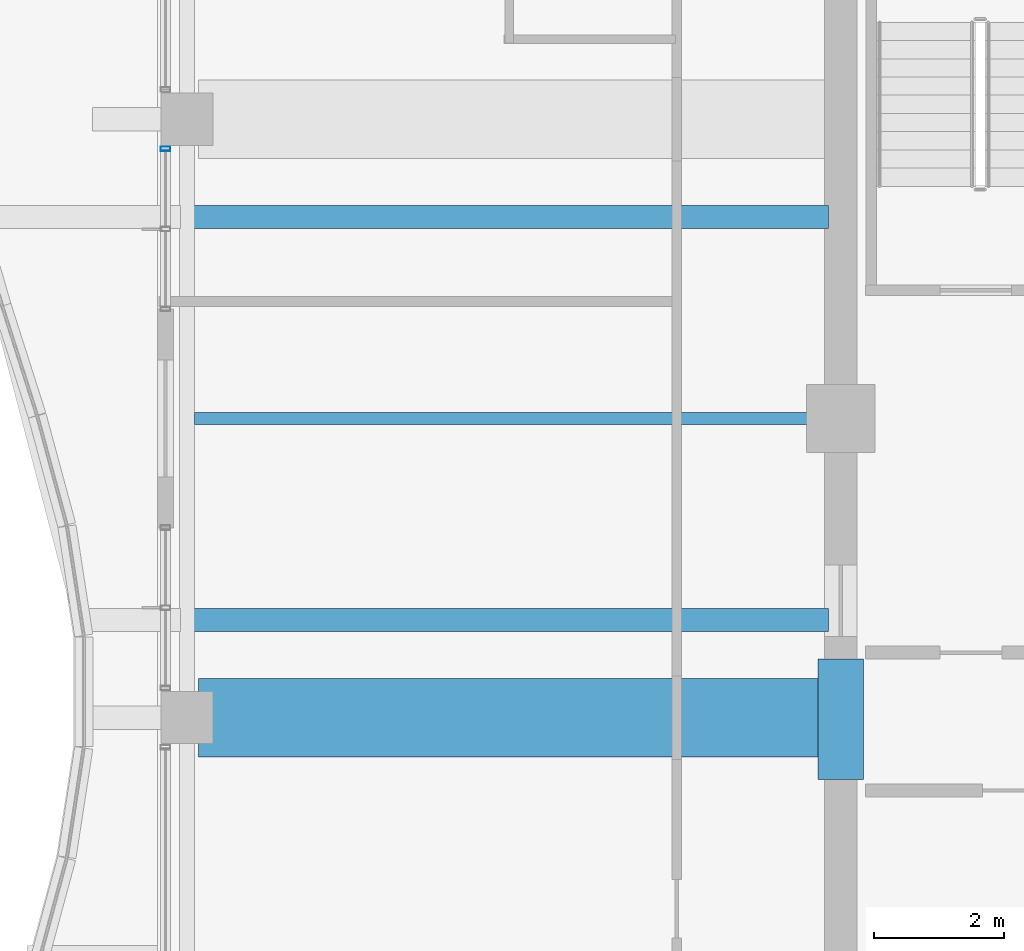
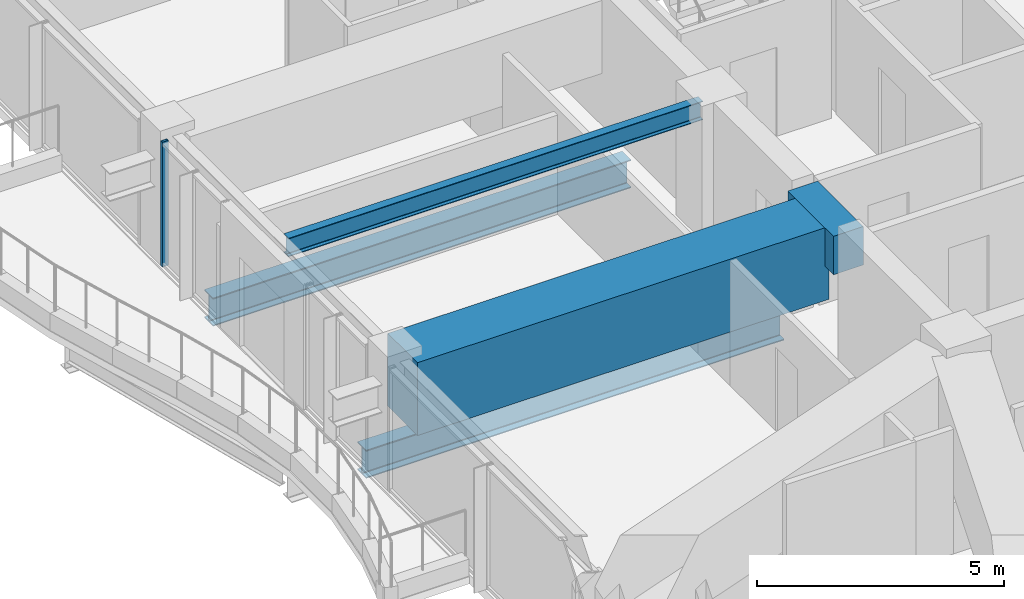
# One storey, part 8 of 35: 5 beams, 1 member, 1 element without a shape of its own.
"""IFC4 building model written with IfcOpenShell, lengths in metres."""

from ifc_helpers import new_model, si_unit, direction, frame, origin, origin_2d, place, context, subcontext, project, spatial, rectangle, hollow_rectangle, i_section, extrude, material, material_profile, profile_set, type_object, element, aggregate, save


model = new_model("IFC4")

# Units and contexts
model_context = context("Model", 3, precision=1e-05, world=origin(), true_north=direction((0.0, 1.0)))
body_context = subcontext(model_context, "Body", "Model", "MODEL_VIEW")
ifc_project = project(units=[si_unit("LENGTHUNIT", "METRE"), si_unit("AREAUNIT", "SQUARE_METRE"), si_unit("VOLUMEUNIT", "CUBIC_METRE"), si_unit("PLANEANGLEUNIT", "RADIAN"), si_unit("MASSUNIT", "GRAM", prefix="KILO")], contexts=[model_context])

# Site, building, storey
site_placement = place(None, origin())
site = spatial("IfcSite", under=ifc_project, at=site_placement, CompositionType="ELEMENT")
building_placement = place(site_placement, origin())
building = spatial("IfcBuilding", under=site, at=building_placement, Name="Kolvaren Belvedere", CompositionType="ELEMENT")
storey_placement = place(building_placement, frame((0.0, 0.0, 203.10009765625)))
storey = spatial("IfcBuildingStorey", under=building, at=storey_placement, Name="L59", CompositionType="ELEMENT", Elevation=203.10009765625)

# Beams
ifc_material_1 = material(Name="Structural steel ASTM A992 Grade 50", Category="steel")
ifc_material_profile_1 = material_profile(ifc_material_1, i_section(OverallWidth=0.35498046875, OverallDepth=0.696044921875, WebThickness=0.015380859375, FlangeThickness=0.02490234375, FilletRadius=0.02197265625, at=origin_2d()), Name="W27X146")
ifc_profile_set_1 = profile_set([ifc_material_profile_1], Name="Structural steel ASTM A992 Grade 50")
beam_type_1 = type_object("IfcBeamType", Name="BM-GIRD-W27X146", PredefinedType="BEAM", material=ifc_profile_set_1)
for number, where, z_axis, x_axis, name in (
    (1, (-10.090087890625, -3.10009765625, -0.568115234375), (-1.0, 0.0, 0.0), (0.0, -1.0, 0.0), "L59 Balcony Interior Back-Span Girder BAL-W-1"),
    (2, (-10.090087890625, 3.10009765625, -0.568115234375), (-1.0, 0.0, 0.0), (0.0, -1.0, 0.0), "L59 Balcony Interior Back-Span Girder BAL-W-2"),
):
    element("IfcBeam", number, at=place(storey_placement, frame(where, z_axis=z_axis, x_axis=x_axis)), inside=storey, type_object=beam_type_1, Name=name, PredefinedType="BEAM", context=body_context, shape_type="SweptSolid", body=[
        extrude(i_section(OverallWidth=0.35498046875, OverallDepth=0.696044921875, WebThickness=0.015380859375, FlangeThickness=0.02490234375, FilletRadius=0.02197265625, at=origin_2d()), origin(), (0.0, 0.0, 1.0), 9.764892578125),
    ])
ifc_material_2 = material(Name="Structural steel ASTM A992 Grade 50", Category="steel")
ifc_material_profile_2 = material_profile(ifc_material_2, i_section(OverallWidth=0.19091796875, OverallDepth=0.4599609375, WebThickness=0.010009765625, FlangeThickness=0.01611328125, FilletRadius=0.014892578125, at=origin_2d()), Name="W18X55")
ifc_profile_set_2 = profile_set([ifc_material_profile_2], Name="Structural steel ASTM A992 Grade 50")
beam_type_2 = type_object("IfcBeamType", Name="BM-JOIST-W18X55", PredefinedType="BEAM", material=ifc_profile_set_2)
beam_1_placement = place(storey_placement, frame((-10.14990234375, 0.0, 2.849853515625), z_axis=(-1.0, 0.0, 0.0), x_axis=(0.0, -1.0, 0.0)))
element("IfcBeam", 3, at=beam_1_placement, inside=storey, type_object=beam_type_2, Name="L59 West Centre Floor Beam", PredefinedType="BEAM", context=body_context, shape_type="SweptSolid", body=[
    extrude(i_section(OverallWidth=0.19091796875, OverallDepth=0.4599609375, WebThickness=0.010009765625, FlangeThickness=0.01611328125, FilletRadius=0.014892578125, at=origin_2d()), origin(), (0.0, 0.0, 1.0), 9.685546875),
])
ifc_material_3 = material(Name="Concrete C60/75", Category="concrete")
ifc_material_profile_3 = material_profile(ifc_material_3, rectangle(XDim=0.699951171875, YDim=0.949951171875, at=origin_2d()), Name="RC 700X950")
ifc_profile_set_3 = profile_set([ifc_material_profile_3], Name="Concrete C60/75")
beam_type_3 = type_object("IfcBeamType", Name="BM-LINT-950", PredefinedType="LINTEL", material=ifc_profile_set_3)
beam_2_placement = place(storey_placement, frame((-9.89990234375, -5.550048828125, 2.60498046875), z_axis=(0.0, 1.0, 0.0), x_axis=(-1.0, 0.0, 0.0)))
element("IfcBeam", 4, at=beam_2_placement, inside=storey, type_object=beam_type_3, Name="L59 West Core Coupling Lintel", PredefinedType="LINTEL", context=body_context, shape_type="SweptSolid", body=[
    extrude(rectangle(XDim=0.699951171875, YDim=0.949951171875, at=origin_2d()), origin(), (0.0, 0.0, 1.0), 1.85009765625),
])
ifc_material_4 = material(Name="Concrete C50/60", Category="concrete")
ifc_material_profile_4 = material_profile(ifc_material_4, rectangle(XDim=1.199951171875, YDim=1.800048828125, at=origin_2d()), Name="RC 1200X1800")
ifc_profile_set_4 = profile_set([ifc_material_profile_4], Name="Concrete C50/60")
beam_type_4 = type_object("IfcBeamType", Name="BM-TG-1800", PredefinedType="BEAM", material=ifc_profile_set_4)
beam_3_placement = place(storey_placement, frame((-10.14990234375, -4.60009765625, 2.179931640625), z_axis=(-1.0, 0.0, 0.0), x_axis=(0.0, -1.0, 0.0)))
element("IfcBeam", 5, at=beam_3_placement, inside=storey, type_object=beam_type_4, Name="L59 West Radial Girder M", PredefinedType="BEAM", context=body_context, shape_type="SweptSolid", body=[
    extrude(rectangle(XDim=1.199951171875, YDim=1.800048828125, at=origin_2d()), origin(), (0.0, 0.0, 1.0), 9.6201171875),
])

# Curtain wall, member
ifc_material_5 = material(Name="Anodised pale-metal aluminium AA 6063-T6", Category="aluminium")
curtain_wall_type = type_object("IfcCurtainWallType", Name="CW-Z5-HIGH", PredefinedType="NOTDEFINED", material=ifc_material_5)
curtain_wall_placement = place(storey_placement, origin())
curtain_wall = element("IfcCurtainWall", 6, at=curtain_wall_placement, inside=storey, type_object=curtain_wall_type, Name="L59 Unitised Curtain Wall FCW-L59-W2-B1", PredefinedType="NOTDEFINED")
ifc_material_6 = material(Name="Anodised pale-metal aluminium AA 6063-T6", Category="aluminium")
ifc_material_profile_5 = material_profile(ifc_material_6, hollow_rectangle(XDim=0.070068359375, YDim=0.14990234375, WallThickness=0.004150390625, at=origin_2d()), Name="ALU-MUL-150X70")
ifc_profile_set_5 = profile_set([ifc_material_profile_5], Name="Anodised pale-metal aluminium AA 6063-T6")
member_type = type_object("IfcMemberType", Name="CW-MUL-150", PredefinedType="MULLION", material=ifc_profile_set_5)
member_placement = place(storey_placement, frame((-20.280029296875, 4.14501953125, 0.0), z_axis=(0.0, 0.0, 1.0), x_axis=(0.0, 1.0, 0.0)))
member = element("IfcMember", 7, at=member_placement, type_object=member_type, Name="FCW-L59-W2-B1 Unitised Mullion 3", PredefinedType="MULLION", context=body_context, shape_type="SweptSolid", body=[
    extrude(hollow_rectangle(XDim=0.070068359375, YDim=0.14990234375, WallThickness=0.004150390625, at=origin_2d()), origin(), (0.0, 0.0, 1.0), 3.079833984375),
])
aggregate(curtain_wall, [member])

save(model, "model.ifc")
